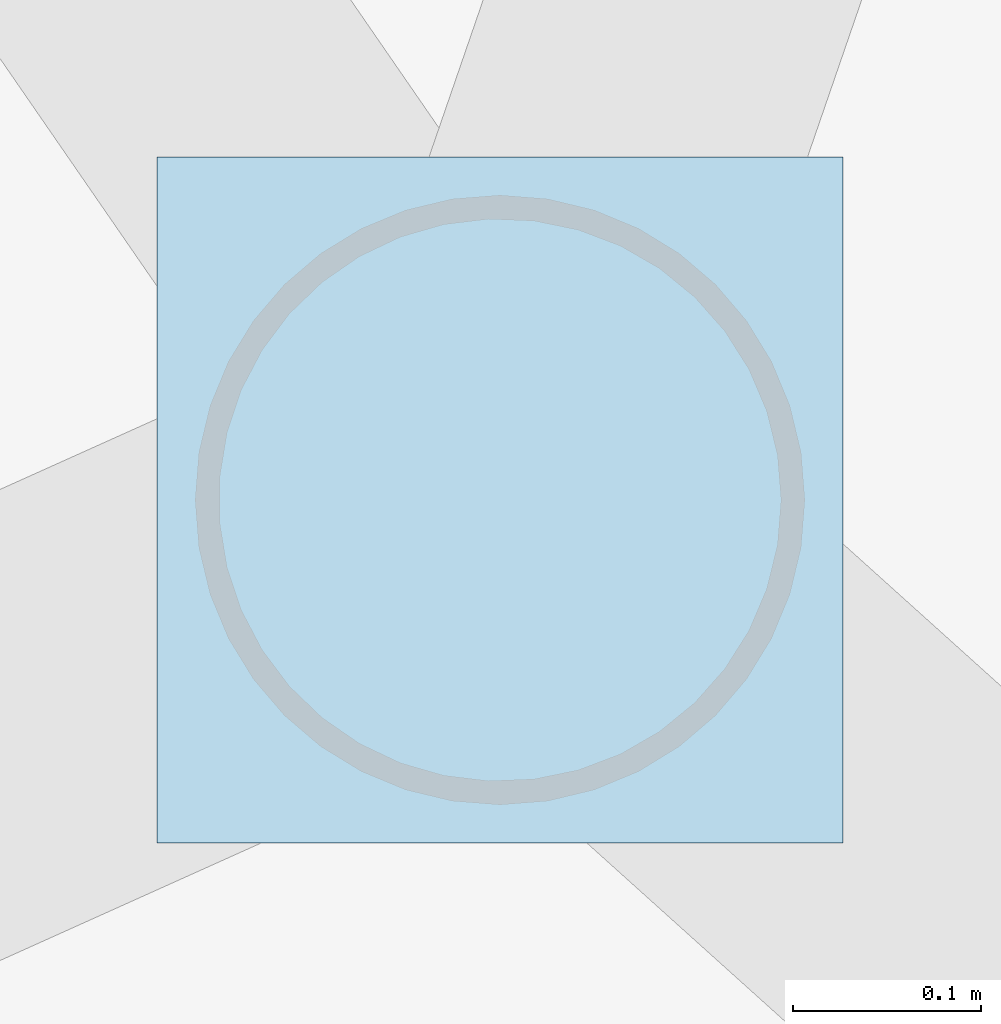
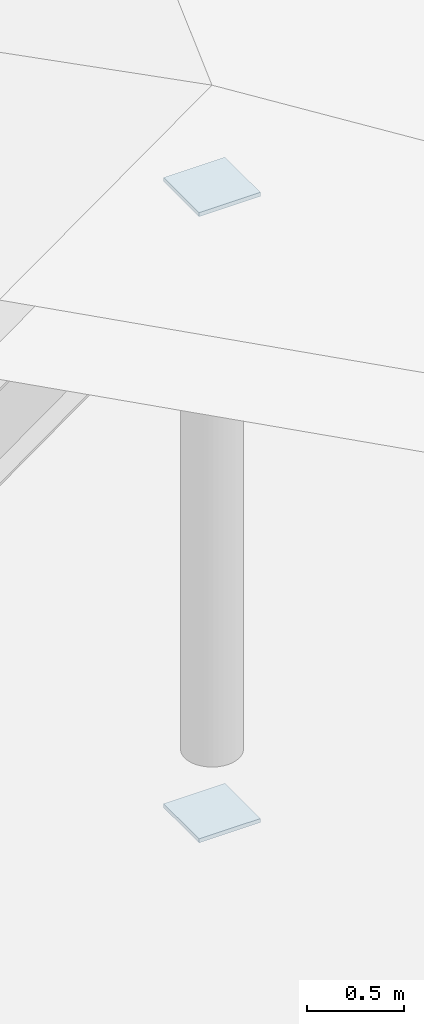
# One storey, part 59 of 79: 2 plates.
"""IFC4 building model written with IfcOpenShell, lengths in metres."""

from ifc_helpers import new_model, si_unit, direction, frame, origin, origin_2d, place, context, subcontext, project, spatial, rectangle, extrude, material, layer, layer_set, type_object, element, save


model = new_model("IFC4")

# Units and contexts
model_context = context("Model", 3, precision=1e-05, world=origin(), true_north=direction((0.0, 1.0)))
body_context = subcontext(model_context, "Body", "Model", "MODEL_VIEW")
ifc_project = project(units=[si_unit("LENGTHUNIT", "METRE"), si_unit("AREAUNIT", "SQUARE_METRE"), si_unit("VOLUMEUNIT", "CUBIC_METRE"), si_unit("PLANEANGLEUNIT", "RADIAN"), si_unit("MASSUNIT", "GRAM", prefix="KILO")], contexts=[model_context])

# Site, building, storey
site_placement = place(None, origin())
site = spatial("IfcSite", under=ifc_project, at=site_placement, CompositionType="ELEMENT")
building_placement = place(site_placement, origin())
building = spatial("IfcBuilding", under=site, at=building_placement, Name="Tarnwether General Hospital", CompositionType="ELEMENT")
storey_placement = place(building_placement, frame((0.0, 0.0, 18.300048828125)))
storey = spatial("IfcBuildingStorey", under=building, at=storey_placement, Name="L04", CompositionType="ELEMENT", Elevation=18.300048828125)

# Plates
ifc_material = material(Name="Steel Grade 350 (350 MPa)", Category="steel")
ifc_layer = layer(ifc_material, 0.02490234375)
ifc_layer_set = layer_set([ifc_layer], Name="Steel Grade 350 (350 MPa)")
plate_type = type_object("IfcPlateType", Name="PT-GUS2", PredefinedType="USERDEFINED", material=ifc_layer_set)
for number, where, z_axis, x_axis, name in (
    (1, (168.0, 10.800048828125, -0.02490234375), (0.0, 0.0, 1.0), (1.0, 0.0, 0.0), "Hollow Section Welded End Cap Plate 1387"),
    (2, (168.0, 10.800048828125, 3.89990234375), (0.0, 0.0, 1.0), (1.0, 0.0, 0.0), "Hollow Section Welded End Cap Plate 1388"),
):
    element("IfcPlate", number, at=place(storey_placement, frame(where, z_axis=z_axis, x_axis=x_axis)), inside=storey, type_object=plate_type, Name=name, ObjectType="GUSSET", PredefinedType="USERDEFINED", context=body_context, shape_type="SweptSolid", body=[
        extrude(rectangle(XDim=0.364013671875, YDim=0.364013671875, at=origin_2d()), origin(), (0.0, 0.0, 1.0), 0.02490234375),
    ])

save(model, "model.ifc")
